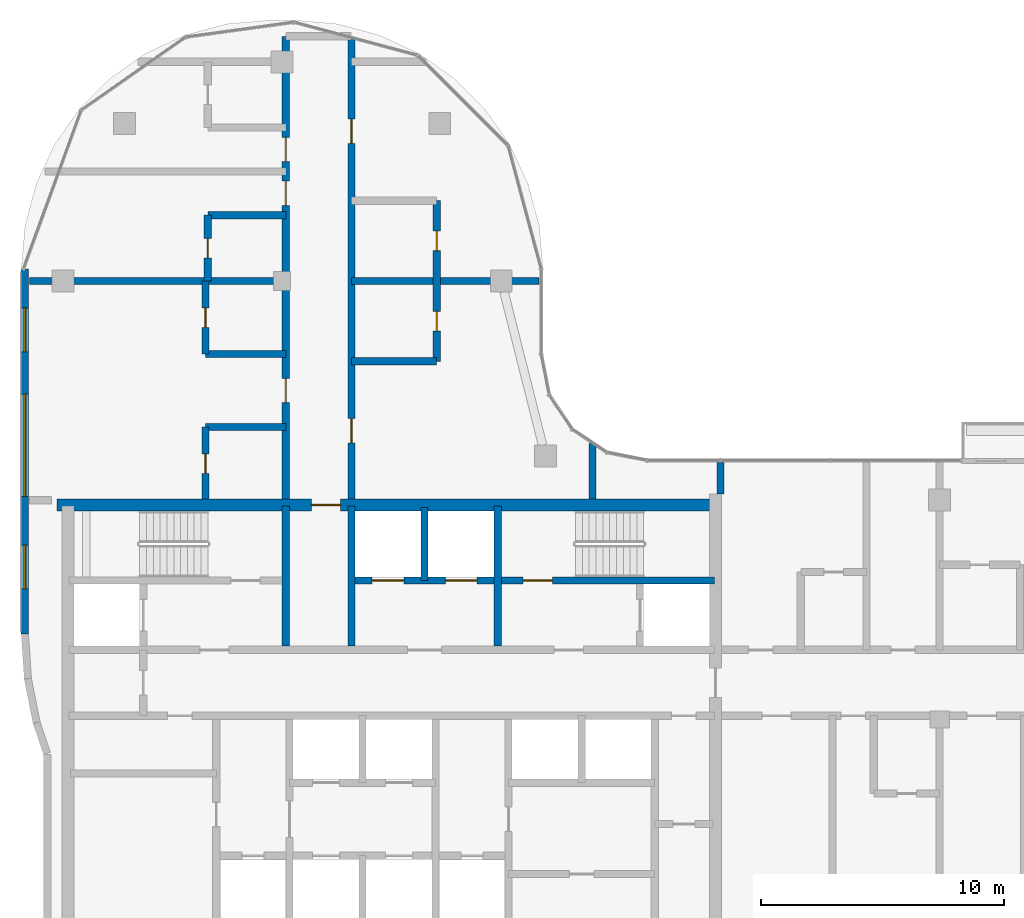
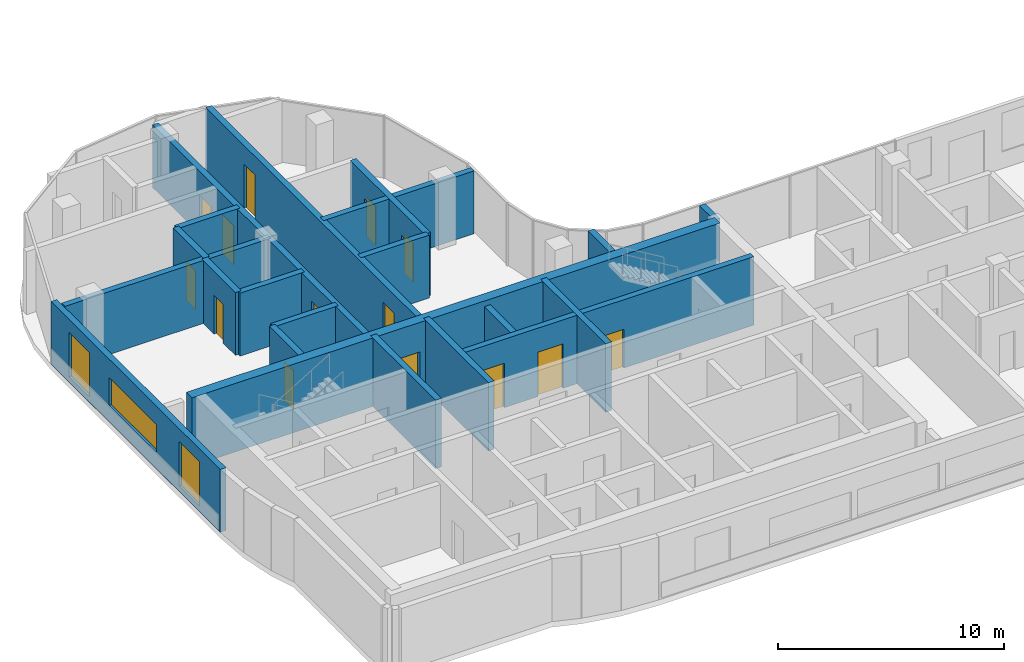
# One storey, part 10 of 19: 21 walls, 14 doors, 3 windows, 17 openings.
"""IFC4 building model written with IfcOpenShell, lengths in metres."""

from ifc_helpers import new_model, si_unit, direction, frame, frame_2d, origin, place, context, subcontext, project, spatial, rectangle, extrude, material, layer, layer_set, type_object, element, fill, save


model = new_model("IFC4")

# Units and contexts
model_context = context("Model", 3, precision=1e-05, world=origin(), true_north=direction((0.0, 1.0)))
body_context = subcontext(model_context, "Body", "Model", "MODEL_VIEW")
ifc_project = project(units=[si_unit("LENGTHUNIT", "METRE"), si_unit("AREAUNIT", "SQUARE_METRE"), si_unit("VOLUMEUNIT", "CUBIC_METRE"), si_unit("PLANEANGLEUNIT", "RADIAN"), si_unit("MASSUNIT", "GRAM", prefix="KILO")], contexts=[model_context])

# Site, building, storey
site_placement = place(None, origin())
site = spatial("IfcSite", under=ifc_project, at=site_placement, CompositionType="ELEMENT")
building_placement = place(site_placement, origin())
building = spatial("IfcBuilding", under=site, at=building_placement, Name="Ogive Portal Towers", CompositionType="ELEMENT")
storey_placement = place(building_placement, frame((0.0, 0.0, 199.5)))
storey = spatial("IfcBuildingStorey", under=building, at=storey_placement, Name="L49", CompositionType="ELEMENT", Elevation=199.5)

# Wall, openings, doors
ifc_material_1 = material(Name="Concrete C60/75", Category="concrete")
ifc_layer_1 = layer(ifc_material_1, 0.300048828125)
ifc_layer_set_1 = layer_set([ifc_layer_1], Name="CORE WALL 300 C60")
wall_type_1 = type_object("IfcWallType", Name="CORE WALL 300 C60", PredefinedType="SHEAR", material=ifc_layer_set_1)
wall_1_placement = place(storey_placement, frame((43.5, 36.199951171875, 0.0), z_axis=(0.0, 0.0, 1.0), x_axis=(1.0, 0.0, 0.0)))
wall_1 = element("IfcWall", 1, at=wall_1_placement, inside=storey, type_object=wall_type_1, Name="Core wall Y3b L49", PredefinedType="SHEAR", context=body_context, shape_type="SweptSolid", body=[
    extrude(rectangle(XDim=14.75, YDim=0.300048828125, at=frame_2d((7.375, 0.0))), origin(), (0.0, 0.0, 1.0), 3.699951171875),
])
opening_1_placement = place(wall_1_placement, frame((6.89990234375, 0.0, 0.0)))
opening_1 = element("IfcOpeningElement", 2, at=opening_1_placement, cuts=wall_1, Name="Opening D22-006", PredefinedType="OPENING", context=body_context, shape_type="SweptSolid", body=[
    extrude(rectangle(XDim=1.199951171875, YDim=2.10009765625, at=frame_2d((0.60009765625, 1.050048828125))), frame((0.0, 0.16015625, 0.0), z_axis=(0.0, -1.0, 0.0), x_axis=(1.0, 0.0, 0.0)), (0.0, 0.0, 1.0), 0.320068359375),
])
opening_2_placement = place(wall_1_placement, frame((0.699951171875, 0.0, 0.0)))
opening_2 = element("IfcOpeningElement", 3, at=opening_2_placement, cuts=wall_1, Name="Opening D22-017", PredefinedType="OPENING", context=body_context, shape_type="SweptSolid", body=[
    extrude(rectangle(XDim=1.300048828125, YDim=2.39990234375, at=frame_2d((0.64990234375, 1.199951171875))), frame((0.0, 0.16015625, 0.0), z_axis=(0.0, -1.0, 0.0), x_axis=(1.0, 0.0, 0.0)), (0.0, 0.0, 1.0), 0.320068359375),
])
opening_3_placement = place(wall_1_placement, frame((3.699951171875, 0.0, 0.0)))
opening_3 = element("IfcOpeningElement", 4, at=opening_3_placement, cuts=wall_1, Name="Opening D22-018", PredefinedType="OPENING", context=body_context, shape_type="SweptSolid", body=[
    extrude(rectangle(XDim=1.300048828125, YDim=2.39990234375, at=frame_2d((0.64990234375, 1.199951171875))), frame((0.0, 0.16015625, 0.0), z_axis=(0.0, -1.0, 0.0), x_axis=(1.0, 0.0, 0.0)), (0.0, 0.0, 1.0), 0.320068359375),
])
ifc_material_2 = material(Name="Stainless steel", Category="steel")
door_type_1 = type_object("IfcDoorType", Name="DT-LD-1300x2400", OperationType="SLIDING_TO_LEFT", PredefinedType="DOOR", material=ifc_material_2)
door_1_placement = place(opening_2_placement, origin())
door_1 = element("IfcDoor", 5, at=door_1_placement, inside=storey, type_object=door_type_1, Name="Door D22-017", OperationType="SLIDING_TO_LEFT", OverallHeight=2.39990234375, OverallWidth=1.300048828125, PredefinedType="DOOR", context=body_context, shape_type="SweptSolid", body=[
    extrude(rectangle(XDim=1.300048828125, YDim=2.39990234375, at=frame_2d((0.64990234375, 1.199951171875))), frame((0.0, 0.02490234375, 0.0), z_axis=(0.0, -1.0, 0.0), x_axis=(1.0, 0.0, 0.0)), (0.0, 0.0, 1.0), 0.050048828125),
])
fill(opening_2, door_1)
door_2_placement = place(opening_3_placement, origin())
door_2 = element("IfcDoor", 6, at=door_2_placement, inside=storey, type_object=door_type_1, Name="Door D22-018", OperationType="SLIDING_TO_LEFT", OverallHeight=2.39990234375, OverallWidth=1.300048828125, PredefinedType="DOOR", context=body_context, shape_type="SweptSolid", body=[
    extrude(rectangle(XDim=1.300048828125, YDim=2.39990234375, at=frame_2d((0.64990234375, 1.199951171875))), frame((0.0, 0.02490234375, 0.0), z_axis=(0.0, -1.0, 0.0), x_axis=(1.0, 0.0, 0.0)), (0.0, 0.0, 1.0), 0.050048828125),
])
fill(opening_3, door_2)
ifc_material_3 = material(Name="Steel fire door", Category="steel")
door_type_2 = type_object("IfcDoorType", Name="DT-SWING-1200x2100-FD90S", OperationType="SINGLE_SWING_LEFT", PredefinedType="DOOR", material=ifc_material_3)
door_3_placement = place(opening_1_placement, origin())
door_3 = element("IfcDoor", 7, at=door_3_placement, inside=storey, type_object=door_type_2, Name="Door D22-006", OperationType="SINGLE_SWING_LEFT", OverallHeight=2.10009765625, OverallWidth=1.199951171875, PredefinedType="DOOR", context=body_context, shape_type="SweptSolid", body=[
    extrude(rectangle(XDim=1.199951171875, YDim=2.10009765625, at=frame_2d((0.60009765625, 1.050048828125))), frame((0.0, 0.02490234375, 0.0), z_axis=(0.0, -1.0, 0.0), x_axis=(1.0, 0.0, 0.0)), (0.0, 0.0, 1.0), 0.050048828125),
])
fill(opening_1, door_3)

# Walls
for number, where, z_axis, x_axis, name in (
    (8, (40.64990234375, 33.5, 0.0), (0.0, 0.0, 1.0), (0.0, 1.0, 0.0), "Core wall X6 L49"),
    (9, (43.35009765625, 33.5, 0.0), (0.0, 0.0, 1.0), (0.0, 1.0, 0.0), "Core wall X7 L49"),
    (10, (49.35009765625, 33.5, 0.0), (0.0, 0.0, 1.0), (0.0, 1.0, 0.0), "Core wall X9 L49"),
):
    element("IfcWall", number, at=place(storey_placement, frame(where, z_axis=z_axis, x_axis=x_axis)), inside=storey, type_object=wall_type_1, Name=name, PredefinedType="SHEAR", context=body_context, shape_type="SweptSolid", body=[
        extrude(rectangle(XDim=5.75, YDim=0.300048828125, at=frame_2d((2.875, 0.0))), origin(), (0.0, 0.0, 1.0), 3.699951171875),
    ])

# Wall, opening, door
ifc_layer_2 = layer(ifc_material_1, 0.5)
ifc_layer_set_2 = layer_set([ifc_layer_2], Name="CORE WALL 500 C60")
wall_type_2 = type_object("IfcWallType", Name="CORE WALL 500 C60", PredefinedType="SHEAR", material=ifc_layer_set_2)
wall_2_placement = place(storey_placement, frame((31.25, 39.300048828125, 0.0), z_axis=(0.0, 0.0, 1.0), x_axis=(1.0, 0.0, 0.0)))
wall_2 = element("IfcWall", 11, at=wall_2_placement, inside=storey, type_object=wall_type_2, Name="Core wall N L49", PredefinedType="SHEAR", context=body_context, shape_type="SweptSolid", body=[
    extrude(rectangle(XDim=27.0, YDim=0.5, at=frame_2d((13.5, 0.0))), origin(), (0.0, 0.0, 1.0), 3.699951171875),
])
opening_4_placement = place(wall_2_placement, frame((10.449951171875, 0.0, 0.0)))
opening_4 = element("IfcOpeningElement", 12, at=opening_4_placement, cuts=wall_2, Name="Opening D22-012", PredefinedType="OPENING", context=body_context, shape_type="SweptSolid", body=[
    extrude(rectangle(XDim=1.199951171875, YDim=2.10009765625, at=frame_2d((0.60009765625, 1.050048828125))), frame((0.0, 0.260009765625, 0.0), z_axis=(0.0, -1.0, 0.0), x_axis=(1.0, 0.0, 0.0)), (0.0, 0.0, 1.0), 0.52001953125),
])
door_4_placement = place(opening_4_placement, origin())
door_4 = element("IfcDoor", 13, at=door_4_placement, inside=storey, type_object=door_type_2, Name="Door D22-012", OperationType="SINGLE_SWING_RIGHT", OverallHeight=2.10009765625, OverallWidth=1.199951171875, PredefinedType="DOOR", context=body_context, shape_type="SweptSolid", body=[
    extrude(rectangle(XDim=1.199951171875, YDim=2.10009765625, at=frame_2d((0.60009765625, 1.050048828125))), frame((0.0, 0.02490234375, 0.0), z_axis=(0.0, -1.0, 0.0), x_axis=(1.0, 0.0, 0.0)), (0.0, 0.0, 1.0), 0.050048828125),
])
fill(opening_4, door_4)

# Wall, openings, windows
ifc_material_4 = material(Name="Limestone cladding on lightweight block wall", Category="masonry")
ifc_layer_3 = layer(ifc_material_4, 0.300048828125)
ifc_layer_set_3 = layer_set([ifc_layer_3], Name="EXTERNAL WALL 300 STONE")
wall_type_3 = type_object("IfcWallType", Name="EXTERNAL WALL 300 STONE", PredefinedType="SOLIDWALL", material=ifc_layer_set_3)
wall_3_placement = place(storey_placement, frame((29.93505859375, 48.98583984375, 0.0), z_axis=(0.0, 0.0, 1.0), x_axis=(0.0, -1.0, 0.0)))
wall_3 = element("IfcWall", 14, at=wall_3_placement, inside=storey, type_object=wall_type_3, Name="A:L49:f25:r0:wall", PredefinedType="SOLIDWALL", context=body_context, shape_type="SweptSolid", body=[
    extrude(rectangle(XDim=14.97607421875, YDim=0.300048828125, at=frame_2d((7.488037109375, 0.0))), origin(), (0.0, 0.0, 1.0), 3.39990234375),
])
opening_5_placement = place(wall_3_placement, frame((1.593017578125, 0.0, 0.300048828125)))
opening_5 = element("IfcOpeningElement", 15, at=opening_5_placement, cuts=wall_3, Name="Opening WN10", PredefinedType="OPENING", context=body_context, shape_type="SweptSolid", body=[
    extrude(rectangle(XDim=1.800048828125, YDim=2.39990234375, at=frame_2d((0.89990234375, 1.199951171875))), frame((0.0, 0.16015625, 0.0), z_axis=(0.0, -1.0, 0.0), x_axis=(1.0, 0.0, 0.0)), (0.0, 0.0, 1.0), 0.320068359375),
])
opening_6_placement = place(wall_3_placement, frame((5.135986328125, 0.0, 0.89990234375)))
opening_6 = element("IfcOpeningElement", 16, at=opening_6_placement, cuts=wall_3, Name="Opening WN11", PredefinedType="OPENING", context=body_context, shape_type="SweptSolid", body=[
    extrude(rectangle(XDim=4.199951171875, YDim=1.5, at=frame_2d((2.10009765625, 0.75))), frame((0.0, 0.16015625, 0.0), z_axis=(0.0, -1.0, 0.0), x_axis=(1.0, 0.0, 0.0)), (0.0, 0.0, 1.0), 0.320068359375),
])
opening_7_placement = place(wall_3_placement, frame((11.3310546875, 0.0, 0.300048828125)))
opening_7 = element("IfcOpeningElement", 17, at=opening_7_placement, cuts=wall_3, Name="Opening WN10", PredefinedType="OPENING", context=body_context, shape_type="SweptSolid", body=[
    extrude(rectangle(XDim=1.800048828125, YDim=2.39990234375, at=frame_2d((0.89990234375, 1.199951171875))), frame((0.0, 0.16015625, 0.0), z_axis=(0.0, -1.0, 0.0), x_axis=(1.0, 0.0, 0.0)), (0.0, 0.0, 1.0), 0.320068359375),
])
ifc_material_5 = material(Name="Glass, clear low-iron insulated glazing", Category="glass")
window_type_1 = type_object("IfcWindowType", Name="WINDOW RIBBON 4200x1500", PartitioningType="TRIPLE_PANEL_VERTICAL", PredefinedType="WINDOW", material=ifc_material_5)
window_1_placement = place(opening_6_placement, origin())
window_1 = element("IfcWindow", 18, at=window_1_placement, inside=storey, type_object=window_type_1, Name="A:L49:f25:r0:w1", OverallHeight=1.5, OverallWidth=4.199951171875, PartitioningType="SINGLE_PANEL", PredefinedType="WINDOW", context=body_context, shape_type="SweptSolid", body=[
    extrude(rectangle(XDim=4.199951171875, YDim=1.5, at=frame_2d((2.10009765625, 0.75))), frame((0.0, 0.030029296875, 0.0), z_axis=(0.0, -1.0, 0.0), x_axis=(1.0, 0.0, 0.0)), (0.0, 0.0, 1.0), 0.06005859375),
])
fill(opening_6, window_1)
window_type_2 = type_object("IfcWindowType", Name="WINDOW SUITE CORNER 1800x2400", PartitioningType="DOUBLE_PANEL_VERTICAL", PredefinedType="WINDOW", material=ifc_material_5)
window_2_placement = place(opening_5_placement, origin())
window_2 = element("IfcWindow", 19, at=window_2_placement, inside=storey, type_object=window_type_2, Name="A:L49:f25:r0:w0", OverallHeight=2.39990234375, OverallWidth=1.800048828125, PartitioningType="SINGLE_PANEL", PredefinedType="WINDOW", context=body_context, shape_type="SweptSolid", body=[
    extrude(rectangle(XDim=1.800048828125, YDim=2.39990234375, at=frame_2d((0.89990234375, 1.199951171875))), frame((0.0, 0.030029296875, 0.0), z_axis=(0.0, -1.0, 0.0), x_axis=(1.0, 0.0, 0.0)), (0.0, 0.0, 1.0), 0.06005859375),
])
fill(opening_5, window_2)
window_3_placement = place(opening_7_placement, origin())
window_3 = element("IfcWindow", 20, at=window_3_placement, inside=storey, type_object=window_type_2, Name="A:L49:f25:r0:w2", OverallHeight=2.39990234375, OverallWidth=1.800048828125, PartitioningType="SINGLE_PANEL", PredefinedType="WINDOW", context=body_context, shape_type="SweptSolid", body=[
    extrude(rectangle(XDim=1.800048828125, YDim=2.39990234375, at=frame_2d((0.89990234375, 1.199951171875))), frame((0.0, 0.030029296875, 0.0), z_axis=(0.0, -1.0, 0.0), x_axis=(1.0, 0.0, 0.0)), (0.0, 0.0, 1.0), 0.06005859375),
])
fill(opening_7, window_3)

# Walls
ifc_material_6 = material(Name="Gypsum board partition on steel studs", Category="steel")
ifc_layer_4 = layer(ifc_material_6, 0.300048828125)
ifc_layer_set_4 = layer_set([ifc_layer_4], Name="WT-PART-300-EI 60")
wall_type_4 = type_object("IfcWallType", Name="WT-PART-300-EI 60", PredefinedType="PARTITIONING", material=ifc_layer_set_4)
wall_4_placement = place(storey_placement, frame((37.35009765625, 42.5, 0.0), z_axis=(0.0, 0.0, 1.0), x_axis=(1.0, 0.0, 0.0)))
element("IfcWall", 21, at=wall_4_placement, inside=storey, type_object=wall_type_4, Name="Wall L49:w014", PredefinedType="PARTITIONING", context=body_context, shape_type="SweptSolid", body=[
    extrude(rectangle(XDim=3.2998046875, YDim=0.300048828125, at=frame_2d((1.64990234375, 0.0))), origin(), (0.0, 0.0, 1.0), 3.39990234375),
])
wall_5_placement = place(storey_placement, frame((43.35009765625, 45.199951171875, 0.0), z_axis=(0.0, 0.0, 1.0), x_axis=(1.0, 0.0, 0.0)))
element("IfcWall", 22, at=wall_5_placement, inside=storey, type_object=wall_type_4, Name="Wall L49:w015", PredefinedType="PARTITIONING", context=body_context, shape_type="SweptSolid", body=[
    extrude(rectangle(XDim=3.5, YDim=0.300048828125, at=frame_2d((1.75, 0.0))), origin(), (0.0, 0.0, 1.0), 3.39990234375),
])
wall_6_placement = place(storey_placement, frame((37.35009765625, 45.5, 0.0), z_axis=(0.0, 0.0, 1.0), x_axis=(1.0, 0.0, 0.0)))
element("IfcWall", 23, at=wall_6_placement, inside=storey, type_object=wall_type_4, Name="Wall L49:w016", PredefinedType="PARTITIONING", context=body_context, shape_type="SweptSolid", body=[
    extrude(rectangle(XDim=3.2998046875, YDim=0.300048828125, at=frame_2d((1.64990234375, 0.0))), origin(), (0.0, 0.0, 1.0), 3.39990234375),
])
wall_7_placement = place(storey_placement, frame((30.135009765625, 48.5, 0.0), z_axis=(0.0, 0.0, 1.0), x_axis=(1.0, 0.0, 0.0)))
element("IfcWall", 24, at=wall_7_placement, inside=storey, type_object=wall_type_4, Name="Wall L49:w017", PredefinedType="PARTITIONING", context=body_context, shape_type="SweptSolid", body=[
    extrude(rectangle(XDim=10.514892578125, YDim=0.300048828125, at=frame_2d((5.25732421875, 0.0))), origin(), (0.0, 0.0, 1.0), 3.39990234375),
])
wall_8_placement = place(storey_placement, frame((43.35009765625, 48.5, 0.0), z_axis=(0.0, 0.0, 1.0), x_axis=(1.0, 0.0, 0.0)))
element("IfcWall", 25, at=wall_8_placement, inside=storey, type_object=wall_type_4, Name="Wall L49:w018", PredefinedType="PARTITIONING", context=body_context, shape_type="SweptSolid", body=[
    extrude(rectangle(XDim=7.69482421875, YDim=0.300048828125, at=frame_2d((3.847412109375, 0.0))), origin(), (0.0, 0.0, 1.0), 3.39990234375),
])
wall_9_placement = place(storey_placement, frame((37.449951171875, 51.199951171875, 0.0), z_axis=(0.0, 0.0, 1.0), x_axis=(1.0, 0.0, 0.0)))
element("IfcWall", 26, at=wall_9_placement, inside=storey, type_object=wall_type_4, Name="Wall L49:w019", PredefinedType="PARTITIONING", context=body_context, shape_type="SweptSolid", body=[
    extrude(rectangle(XDim=3.199951171875, YDim=0.300048828125, at=frame_2d((1.60009765625, 0.0))), origin(), (0.0, 0.0, 1.0), 3.39990234375),
])

# Wall, opening, door
wall_10_placement = place(storey_placement, frame((37.35009765625, 39.550048828125, 0.0), z_axis=(0.0, 0.0, 1.0), x_axis=(0.0, 1.0, 0.0)))
wall_10 = element("IfcWall", 27, at=wall_10_placement, inside=storey, type_object=wall_type_4, Name="Wall L49:w026", PredefinedType="PARTITIONING", context=body_context, shape_type="SweptSolid", body=[
    extrude(rectangle(XDim=2.949951171875, YDim=0.300048828125, at=frame_2d((1.47509765625, 0.0))), origin(), (0.0, 0.0, 1.0), 3.39990234375),
])
opening_8_placement = place(wall_10_placement, frame((1.050048828125, 0.0, 0.0)))
opening_8 = element("IfcOpeningElement", 28, at=opening_8_placement, cuts=wall_10, Name="Opening D22-044", PredefinedType="OPENING", context=body_context, shape_type="SweptSolid", body=[
    extrude(rectangle(XDim=0.800048828125, YDim=2.10009765625, at=frame_2d((0.39990234375, 1.050048828125))), frame((0.0, 0.16015625, 0.0), z_axis=(0.0, -1.0, 0.0), x_axis=(1.0, 0.0, 0.0)), (0.0, 0.0, 1.0), 0.320068359375),
])
door_type_3 = type_object("IfcDoorType", Name="DT-BATH-800x2100-FD60S", OperationType="SINGLE_SWING_LEFT", PredefinedType="DOOR", material=ifc_material_3)
door_5_placement = place(opening_8_placement, origin())
door_5 = element("IfcDoor", 29, at=door_5_placement, inside=storey, type_object=door_type_3, Name="Door D22-044", OperationType="SINGLE_SWING_LEFT", OverallHeight=2.10009765625, OverallWidth=0.800048828125, PredefinedType="DOOR", context=body_context, shape_type="SweptSolid", body=[
    extrude(rectangle(XDim=0.800048828125, YDim=2.10009765625, at=frame_2d((0.39990234375, 1.050048828125))), frame((0.0, 0.02490234375, 0.0), z_axis=(0.0, -1.0, 0.0), x_axis=(1.0, 0.0, 0.0)), (0.0, 0.0, 1.0), 0.050048828125),
])
fill(opening_8, door_5)

wall_11_placement = place(storey_placement, frame((37.35009765625, 45.5, 0.0), z_axis=(0.0, 0.0, 1.0), x_axis=(0.0, 1.0, 0.0)))
wall_11 = element("IfcWall", 30, at=wall_11_placement, inside=storey, type_object=wall_type_4, Name="Wall L49:w027", PredefinedType="PARTITIONING", context=body_context, shape_type="SweptSolid", body=[
    extrude(rectangle(XDim=3.0, YDim=0.300048828125, at=frame_2d((1.5, 0.0))), origin(), (0.0, 0.0, 1.0), 3.39990234375),
])
opening_9_placement = place(wall_11_placement, frame((1.10009765625, 0.0, 0.0)))
opening_9 = element("IfcOpeningElement", 31, at=opening_9_placement, cuts=wall_11, Name="Opening D22-045", PredefinedType="OPENING", context=body_context, shape_type="SweptSolid", body=[
    extrude(rectangle(XDim=0.800048828125, YDim=2.10009765625, at=frame_2d((0.39990234375, 1.050048828125))), frame((0.0, 0.16015625, 0.0), z_axis=(0.0, -1.0, 0.0), x_axis=(1.0, 0.0, 0.0)), (0.0, 0.0, 1.0), 0.320068359375),
])
door_6_placement = place(opening_9_placement, origin())
door_6 = element("IfcDoor", 32, at=door_6_placement, inside=storey, type_object=door_type_3, Name="Door D22-045", OperationType="SINGLE_SWING_RIGHT", OverallHeight=2.10009765625, OverallWidth=0.800048828125, PredefinedType="DOOR", context=body_context, shape_type="SweptSolid", body=[
    extrude(rectangle(XDim=0.800048828125, YDim=2.10009765625, at=frame_2d((0.39990234375, 1.050048828125))), frame((0.0, 0.02490234375, 0.0), z_axis=(0.0, -1.0, 0.0), x_axis=(1.0, 0.0, 0.0)), (0.0, 0.0, 1.0), 0.050048828125),
])
fill(opening_9, door_6)

wall_12_placement = place(storey_placement, frame((37.449951171875, 48.5, 0.0), z_axis=(0.0, 0.0, 1.0), x_axis=(0.0, 1.0, 0.0)))
wall_12 = element("IfcWall", 33, at=wall_12_placement, inside=storey, type_object=wall_type_4, Name="Wall L49:w028", PredefinedType="PARTITIONING", context=body_context, shape_type="SweptSolid", body=[
    extrude(rectangle(XDim=2.699951171875, YDim=0.300048828125, at=frame_2d((1.35009765625, 0.0))), origin(), (0.0, 0.0, 1.0), 3.39990234375),
])
opening_10_placement = place(wall_12_placement, frame((0.949951171875, 0.0, 0.0)))
opening_10 = element("IfcOpeningElement", 34, at=opening_10_placement, cuts=wall_12, Name="Opening D22-049", PredefinedType="OPENING", context=body_context, shape_type="SweptSolid", body=[
    extrude(rectangle(XDim=0.800048828125, YDim=2.10009765625, at=frame_2d((0.39990234375, 1.050048828125))), frame((0.0, 0.16015625, 0.0), z_axis=(0.0, -1.0, 0.0), x_axis=(1.0, 0.0, 0.0)), (0.0, 0.0, 1.0), 0.320068359375),
])
door_7_placement = place(opening_10_placement, origin())
door_7 = element("IfcDoor", 35, at=door_7_placement, inside=storey, type_object=door_type_3, Name="Door D22-049", OperationType="SINGLE_SWING_LEFT", OverallHeight=2.10009765625, OverallWidth=0.800048828125, PredefinedType="DOOR", context=body_context, shape_type="SweptSolid", body=[
    extrude(rectangle(XDim=0.800048828125, YDim=2.10009765625, at=frame_2d((0.39990234375, 1.050048828125))), frame((0.0, 0.02490234375, 0.0), z_axis=(0.0, -1.0, 0.0), x_axis=(1.0, 0.0, 0.0)), (0.0, 0.0, 1.0), 0.050048828125),
])
fill(opening_10, door_7)

# Wall, openings, doors
wall_13_placement = place(storey_placement, frame((40.64990234375, 39.550048828125, 0.0), z_axis=(0.0, 0.0, 1.0), x_axis=(0.0, 1.0, 0.0)))
wall_13 = element("IfcWall", 36, at=wall_13_placement, inside=storey, type_object=wall_type_4, Name="Wall L49:w030", PredefinedType="PARTITIONING", context=body_context, shape_type="SweptSolid", body=[
    extrude(rectangle(XDim=19.0, YDim=0.300048828125, at=frame_2d((9.5, 0.0))), origin(), (0.0, 0.0, 1.0), 3.39990234375),
])
opening_11_placement = place(wall_13_placement, frame((3.949951171875, 0.0, 0.0)))
opening_11 = element("IfcOpeningElement", 37, at=opening_11_placement, cuts=wall_13, Name="Opening D22-046", PredefinedType="OPENING", context=body_context, shape_type="SweptSolid", body=[
    extrude(rectangle(XDim=1.0, YDim=2.39990234375, at=frame_2d((0.5, 1.199951171875))), frame((0.0, 0.16015625, 0.0), z_axis=(0.0, -1.0, 0.0), x_axis=(1.0, 0.0, 0.0)), (0.0, 0.0, 1.0), 0.320068359375),
])
opening_12_placement = place(wall_13_placement, frame((12.050048828125, 0.0, 0.0)))
opening_12 = element("IfcOpeningElement", 38, at=opening_12_placement, cuts=wall_13, Name="Opening D22-050", PredefinedType="OPENING", context=body_context, shape_type="SweptSolid", body=[
    extrude(rectangle(XDim=1.0, YDim=2.10009765625, at=frame_2d((0.5, 1.050048828125))), frame((0.0, 0.16015625, 0.0), z_axis=(0.0, -1.0, 0.0), x_axis=(1.0, 0.0, 0.0)), (0.0, 0.0, 1.0), 0.320068359375),
])
opening_13_placement = place(wall_13_placement, frame((13.85009765625, 0.0, 0.0)))
opening_13 = element("IfcOpeningElement", 39, at=opening_13_placement, cuts=wall_13, Name="Opening D22-052", PredefinedType="OPENING", context=body_context, shape_type="SweptSolid", body=[
    extrude(rectangle(XDim=1.0, YDim=2.10009765625, at=frame_2d((0.5, 1.050048828125))), frame((0.0, 0.16015625, 0.0), z_axis=(0.0, -1.0, 0.0), x_axis=(1.0, 0.0, 0.0)), (0.0, 0.0, 1.0), 0.320068359375),
])
door_type_4 = type_object("IfcDoorType", Name="DT-ENTRY-1000x2100-FD60S", OperationType="SINGLE_SWING_LEFT", PredefinedType="DOOR", material=ifc_material_3)
door_8_placement = place(opening_12_placement, origin())
door_8 = element("IfcDoor", 40, at=door_8_placement, inside=storey, type_object=door_type_4, Name="Door D22-050", OperationType="SINGLE_SWING_RIGHT", OverallHeight=2.10009765625, OverallWidth=1.0, PredefinedType="DOOR", context=body_context, shape_type="SweptSolid", body=[
    extrude(rectangle(XDim=1.0, YDim=2.10009765625, at=frame_2d((0.5, 1.050048828125))), frame((0.0, 0.02490234375, 0.0), z_axis=(0.0, -1.0, 0.0), x_axis=(1.0, 0.0, 0.0)), (0.0, 0.0, 1.0), 0.050048828125),
])
fill(opening_12, door_8)
door_9_placement = place(opening_13_placement, origin())
door_9 = element("IfcDoor", 41, at=door_9_placement, inside=storey, type_object=door_type_4, Name="Door D22-052", OperationType="SINGLE_SWING_LEFT", OverallHeight=2.10009765625, OverallWidth=1.0, PredefinedType="DOOR", context=body_context, shape_type="SweptSolid", body=[
    extrude(rectangle(XDim=1.0, YDim=2.10009765625, at=frame_2d((0.5, 1.050048828125))), frame((0.0, 0.02490234375, 0.0), z_axis=(0.0, -1.0, 0.0), x_axis=(1.0, 0.0, 0.0)), (0.0, 0.0, 1.0), 0.050048828125),
])
fill(opening_13, door_9)
door_type_5 = type_object("IfcDoorType", Name="DT-ENTRY-1000x2400-FD60S", OperationType="SINGLE_SWING_LEFT", PredefinedType="DOOR", material=ifc_material_3)
door_10_placement = place(opening_11_placement, origin())
door_10 = element("IfcDoor", 42, at=door_10_placement, inside=storey, type_object=door_type_5, Name="Door D22-046", OperationType="SINGLE_SWING_LEFT", OverallHeight=2.39990234375, OverallWidth=1.0, PredefinedType="DOOR", context=body_context, shape_type="SweptSolid", body=[
    extrude(rectangle(XDim=1.0, YDim=2.39990234375, at=frame_2d((0.5, 1.199951171875))), frame((0.0, 0.02490234375, 0.0), z_axis=(0.0, -1.0, 0.0), x_axis=(1.0, 0.0, 0.0)), (0.0, 0.0, 1.0), 0.050048828125),
])
fill(opening_11, door_10)

wall_14_placement = place(storey_placement, frame((43.35009765625, 39.550048828125, 0.0), z_axis=(0.0, 0.0, 1.0), x_axis=(0.0, 1.0, 0.0)))
wall_14 = element("IfcWall", 43, at=wall_14_placement, inside=storey, type_object=wall_type_4, Name="Wall L49:w031", PredefinedType="PARTITIONING", context=body_context, shape_type="SweptSolid", body=[
    extrude(rectangle(XDim=18.992919921875, YDim=0.300048828125, at=frame_2d((9.49658203125, 0.0))), origin(), (0.0, 0.0, 1.0), 3.39990234375),
])
opening_14_placement = place(wall_14_placement, frame((2.300048828125, 0.0, 0.0)))
opening_14 = element("IfcOpeningElement", 44, at=opening_14_placement, cuts=wall_14, Name="Opening D22-043", PredefinedType="OPENING", context=body_context, shape_type="SweptSolid", body=[
    extrude(rectangle(XDim=1.0, YDim=2.39990234375, at=frame_2d((0.5, 1.199951171875))), frame((0.0, 0.16015625, 0.0), z_axis=(0.0, -1.0, 0.0), x_axis=(1.0, 0.0, 0.0)), (0.0, 0.0, 1.0), 0.320068359375),
])
opening_15_placement = place(wall_14_placement, frame((14.60009765625, 0.0, 0.0)))
opening_15 = element("IfcOpeningElement", 45, at=opening_15_placement, cuts=wall_14, Name="Opening D22-048", PredefinedType="OPENING", context=body_context, shape_type="SweptSolid", body=[
    extrude(rectangle(XDim=1.0, YDim=2.39990234375, at=frame_2d((0.5, 1.199951171875))), frame((0.0, 0.16015625, 0.0), z_axis=(0.0, -1.0, 0.0), x_axis=(1.0, 0.0, 0.0)), (0.0, 0.0, 1.0), 0.320068359375),
])
door_11_placement = place(opening_14_placement, origin())
door_11 = element("IfcDoor", 46, at=door_11_placement, inside=storey, type_object=door_type_5, Name="Door D22-043", OperationType="SINGLE_SWING_LEFT", OverallHeight=2.39990234375, OverallWidth=1.0, PredefinedType="DOOR", context=body_context, shape_type="SweptSolid", body=[
    extrude(rectangle(XDim=1.0, YDim=2.39990234375, at=frame_2d((0.5, 1.199951171875))), frame((0.0, 0.02490234375, 0.0), z_axis=(0.0, -1.0, 0.0), x_axis=(1.0, 0.0, 0.0)), (0.0, 0.0, 1.0), 0.050048828125),
])
fill(opening_14, door_11)
door_12_placement = place(opening_15_placement, origin())
door_12 = element("IfcDoor", 47, at=door_12_placement, inside=storey, type_object=door_type_5, Name="Door D22-048", OperationType="SINGLE_SWING_LEFT", OverallHeight=2.39990234375, OverallWidth=1.0, PredefinedType="DOOR", context=body_context, shape_type="SweptSolid", body=[
    extrude(rectangle(XDim=1.0, YDim=2.39990234375, at=frame_2d((0.5, 1.199951171875))), frame((0.0, 0.02490234375, 0.0), z_axis=(0.0, -1.0, 0.0), x_axis=(1.0, 0.0, 0.0)), (0.0, 0.0, 1.0), 0.050048828125),
])
fill(opening_15, door_12)

wall_15_placement = place(storey_placement, frame((46.85009765625, 45.199951171875, 0.0), z_axis=(0.0, 0.0, 1.0), x_axis=(0.0, 1.0, 0.0)))
wall_15 = element("IfcWall", 48, at=wall_15_placement, inside=storey, type_object=wall_type_4, Name="Wall L49:w032", PredefinedType="PARTITIONING", context=body_context, shape_type="SweptSolid", body=[
    extrude(rectangle(XDim=6.60009765625, YDim=0.300048828125, at=frame_2d((3.300048828125, 0.0))), origin(), (0.0, 0.0, 1.0), 3.39990234375),
])
opening_16_placement = place(wall_15_placement, frame((1.25, 0.0, 0.0)))
opening_16 = element("IfcOpeningElement", 49, at=opening_16_placement, cuts=wall_15, Name="Opening D22-042", PredefinedType="OPENING", context=body_context, shape_type="SweptSolid", body=[
    extrude(rectangle(XDim=0.800048828125, YDim=2.10009765625, at=frame_2d((0.39990234375, 1.050048828125))), frame((0.0, 0.16015625, 0.0), z_axis=(0.0, -1.0, 0.0), x_axis=(1.0, 0.0, 0.0)), (0.0, 0.0, 1.0), 0.320068359375),
])
opening_17_placement = place(wall_15_placement, frame((4.550048828125, 0.0, 0.0)))
opening_17 = element("IfcOpeningElement", 50, at=opening_17_placement, cuts=wall_15, Name="Opening D22-047", PredefinedType="OPENING", context=body_context, shape_type="SweptSolid", body=[
    extrude(rectangle(XDim=0.800048828125, YDim=2.10009765625, at=frame_2d((0.39990234375, 1.050048828125))), frame((0.0, 0.16015625, 0.0), z_axis=(0.0, -1.0, 0.0), x_axis=(1.0, 0.0, 0.0)), (0.0, 0.0, 1.0), 0.320068359375),
])
door_13_placement = place(opening_16_placement, origin())
door_13 = element("IfcDoor", 51, at=door_13_placement, inside=storey, type_object=door_type_3, Name="Door D22-042", OperationType="SINGLE_SWING_RIGHT", OverallHeight=2.10009765625, OverallWidth=0.800048828125, PredefinedType="DOOR", context=body_context, shape_type="SweptSolid", body=[
    extrude(rectangle(XDim=0.800048828125, YDim=2.10009765625, at=frame_2d((0.39990234375, 1.050048828125))), frame((0.0, 0.02490234375, 0.0), z_axis=(0.0, -1.0, 0.0), x_axis=(1.0, 0.0, 0.0)), (0.0, 0.0, 1.0), 0.050048828125),
])
fill(opening_16, door_13)
door_14_placement = place(opening_17_placement, origin())
door_14 = element("IfcDoor", 52, at=door_14_placement, inside=storey, type_object=door_type_3, Name="Door D22-047", OperationType="SINGLE_SWING_LEFT", OverallHeight=2.10009765625, OverallWidth=0.800048828125, PredefinedType="DOOR", context=body_context, shape_type="SweptSolid", body=[
    extrude(rectangle(XDim=0.800048828125, YDim=2.10009765625, at=frame_2d((0.39990234375, 1.050048828125))), frame((0.0, 0.02490234375, 0.0), z_axis=(0.0, -1.0, 0.0), x_axis=(1.0, 0.0, 0.0)), (0.0, 0.0, 1.0), 0.050048828125),
])
fill(opening_17, door_14)

# Walls
wall_16_placement = place(storey_placement, frame((53.25, 39.550048828125, 0.0), z_axis=(0.0, 0.0, 1.0), x_axis=(0.0, 1.0, 0.0)))
element("IfcWall", 53, at=wall_16_placement, inside=storey, type_object=wall_type_4, Name="Wall L49:w033", PredefinedType="PARTITIONING", context=body_context, shape_type="SweptSolid", body=[
    extrude(rectangle(XDim=2.26904296875, YDim=0.300048828125, at=frame_2d((1.134521484375, 0.0))), origin(), (0.0, 0.0, 1.0), 3.39990234375),
])
wall_17_placement = place(storey_placement, frame((58.5, 39.75, 0.0), z_axis=(0.0, 0.0, 1.0), x_axis=(0.0, 1.0, 0.0)))
element("IfcWall", 54, at=wall_17_placement, inside=storey, type_object=wall_type_4, Name="Wall L49:w035", PredefinedType="PARTITIONING", context=body_context, shape_type="SweptSolid", body=[
    extrude(rectangle(XDim=1.294921875, YDim=0.300048828125, at=frame_2d((0.6474609375, 0.0))), origin(), (0.0, 0.0, 1.0), 3.39990234375),
])
ifc_material_7 = material(Name="Concrete C40/50", Category="concrete")
ifc_layer_5 = layer(ifc_material_7, 0.300048828125)
ifc_layer_set_5 = layer_set([ifc_layer_5], Name="WT-SHAFT-300")
wall_type_5 = type_object("IfcWallType", Name="WT-SHAFT-300", PredefinedType="SOLIDWALL", material=ifc_layer_set_5)
wall_18_placement = place(storey_placement, frame((46.35009765625, 36.199951171875, 0.0), z_axis=(0.0, 0.0, 1.0), x_axis=(0.0, 1.0, 0.0)))
element("IfcWall", 55, at=wall_18_placement, inside=storey, type_object=wall_type_5, Name="Wall pw:010:L49", PredefinedType="SOLIDWALL", context=body_context, shape_type="SweptSolid", body=[
    extrude(rectangle(XDim=3.0, YDim=0.300048828125, at=frame_2d((1.5, 0.0))), origin(), (0.0, 0.0, 1.0), 3.39990234375),
])

save(model, "model.ifc")
